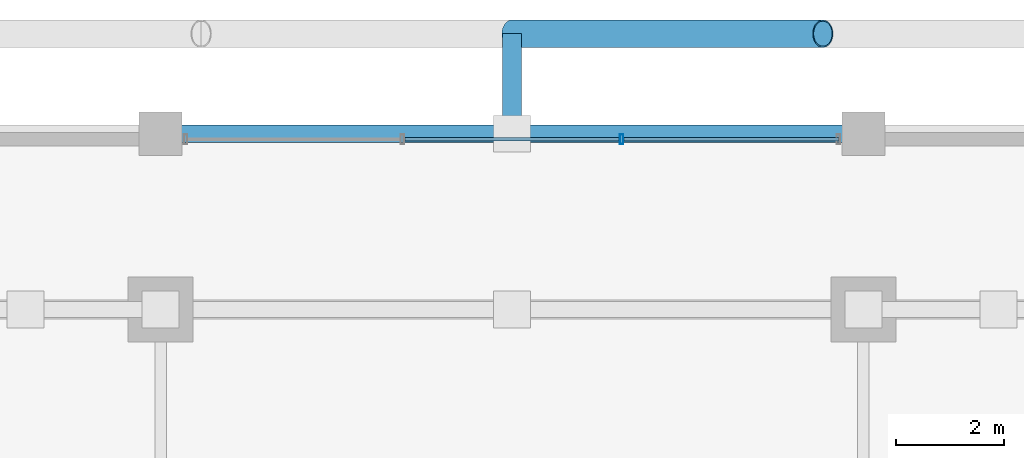
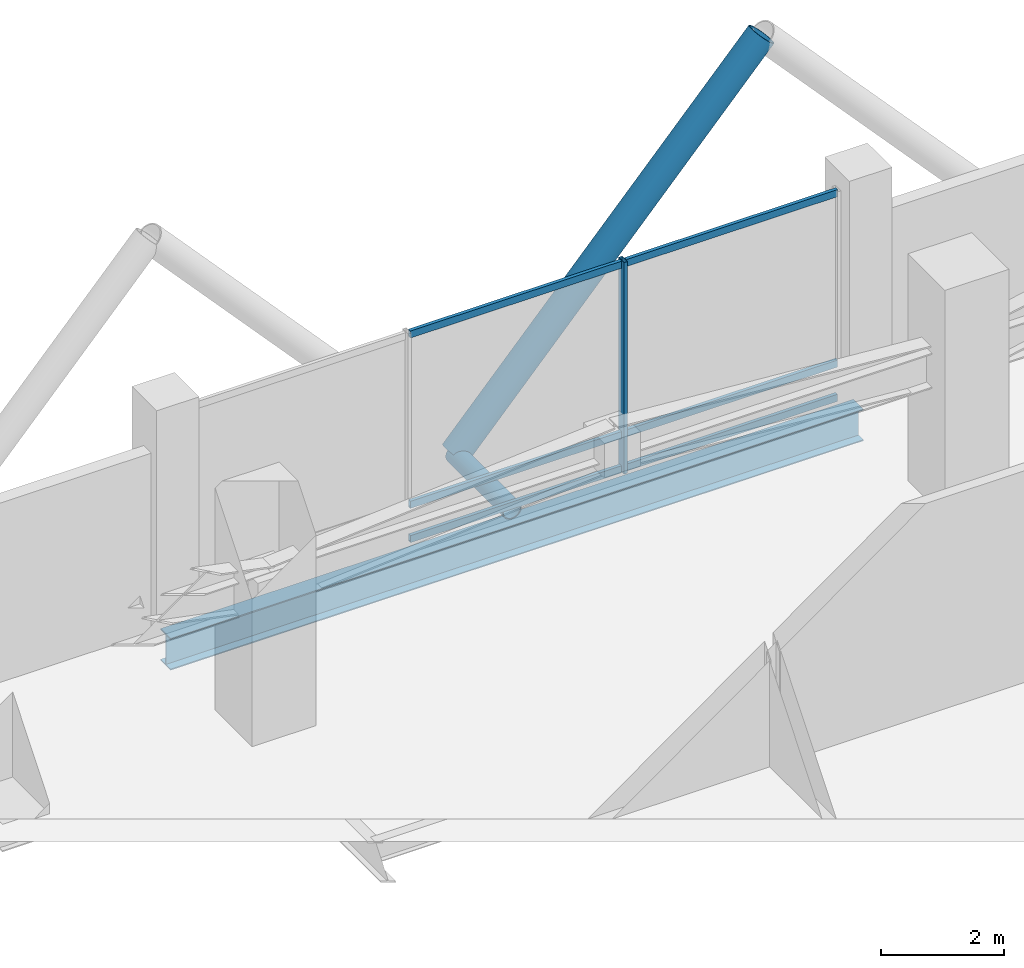
# One storey, part 15 of 22: 9 members, 1 beam, 1 element without a shape of its own.
"""IFC4 building model written with IfcOpenShell, lengths in metres."""

from ifc_helpers import new_model, si_unit, direction, frame, origin, origin_2d, place, context, subcontext, project, spatial, hollow_rectangle, hollow_circle, i_section, extrude, material, layer, layer_set, material_profile, profile_set, type_object, element, aggregate, save


model = new_model("IFC4")

# Units and contexts
model_context = context("Model", 3, precision=1e-05, world=origin(), true_north=direction((0.0, 1.0)))
body_context = subcontext(model_context, "Body", "Model", "MODEL_VIEW")
ifc_project = project(units=[si_unit("LENGTHUNIT", "METRE"), si_unit("AREAUNIT", "SQUARE_METRE"), si_unit("VOLUMEUNIT", "CUBIC_METRE"), si_unit("PLANEANGLEUNIT", "RADIAN"), si_unit("MASSUNIT", "GRAM", prefix="KILO")], contexts=[model_context])

# Site, building, storey
site_placement = place(None, origin())
site = spatial("IfcSite", under=ifc_project, at=site_placement, CompositionType="ELEMENT")
building_placement = place(site_placement, origin())
building = spatial("IfcBuilding", under=site, at=building_placement, Name="Barlavira Tower and Art Museum", CompositionType="ELEMENT")
storey_placement = place(building_placement, frame((0.0, 0.0, 120.60009765625)))
storey = spatial("IfcBuildingStorey", under=building, at=storey_placement, Name="L30", CompositionType="ELEMENT", Elevation=120.60009765625)

# Curtain wall, members
ifc_material_1 = material(Name="Low-iron coastal laminated glass", Category="glass")
ifc_layer = layer(ifc_material_1, 0.18994140625, Name="Low-iron coastal laminated glass")
ifc_layer_set = layer_set([ifc_layer], Name="Low-iron coastal laminated glass")
curtain_wall_type = type_object("IfcCurtainWallType", Name="Pale-Metal Unitised Curtain Wall Zone 2", PredefinedType="NOTDEFINED", material=ifc_layer_set)
curtain_wall_placement = place(storey_placement, origin())
curtain_wall = element("IfcCurtainWall", 1, at=curtain_wall_placement, inside=storey, type_object=curtain_wall_type, Name="L30 Curtain Wall CW2-L30-N-B3", PredefinedType="NOTDEFINED")
ifc_material_2 = material(Name="Pale anodised aluminium", Category="aluminium")
ifc_material_profile_1 = material_profile(ifc_material_2, hollow_rectangle(XDim=0.06494140625, YDim=0.179931640625, WallThickness=0.00390625, at=origin_2d()), Name="ALU-MULL 65x180x4")
ifc_profile_set_1 = profile_set([ifc_material_profile_1], Name="Pale anodised aluminium")
member_type_1 = type_object("IfcMemberType", Name="Curtain Wall Pale-Metal Mullion 65x180", PredefinedType="MULLION", material=ifc_profile_set_1)
member_1_placement = place(storey_placement, frame((2.026611328125, 23.14990234375, 0.0), z_axis=(0.0, 0.0, 1.0), x_axis=(-1.0, 0.0, 0.0)))
member_1 = element("IfcMember", 2, at=member_1_placement, type_object=member_type_1, Name="CW2-L30-N-B3 Mullion 1", PredefinedType="MULLION", context=body_context, shape_type="SweptSolid", body=[
    extrude(hollow_rectangle(XDim=0.06494140625, YDim=0.179931640625, WallThickness=0.00390625, at=origin_2d()), origin(), (0.0, 0.0, 1.0), 4.199951171875),
])
ifc_material_profile_2 = material_profile(ifc_material_2, hollow_rectangle(XDim=0.06494140625, YDim=0.139892578125, WallThickness=0.00390625, at=origin_2d()), Name="ALU-TRAN 65x140x4")
ifc_profile_set_2 = profile_set([ifc_material_profile_2], Name="Pale anodised aluminium")
member_type_2 = type_object("IfcMemberType", Name="Curtain Wall Pale-Metal Transom 65x140", PredefinedType="USERDEFINED", material=ifc_profile_set_2)
member_2_placement = place(storey_placement, frame((6.034912109375, 23.14990234375, 0.06982421875), z_axis=(-1.0, 0.0, 0.0), x_axis=(0.0, -1.0, 0.0)))
member_2 = element("IfcMember", 3, at=member_2_placement, type_object=member_type_2, Name="CW2-L30-N-B3 Transom 0.1", ObjectType="TRANSOM", PredefinedType="USERDEFINED", context=body_context, shape_type="SweptSolid", body=[
    extrude(hollow_rectangle(XDim=0.06494140625, YDim=0.139892578125, WallThickness=0.00390625, at=origin_2d()), origin(), (0.0, 0.0, 1.0), 3.963134765625),
])
member_3_placement = place(storey_placement, frame((6.034912109375, 23.14990234375, 0.75), z_axis=(-1.0, 0.0, 0.0), x_axis=(0.0, -1.0, 0.0)))
member_3 = element("IfcMember", 4, at=member_3_placement, type_object=member_type_2, Name="CW2-L30-N-B3 Transom 0.2", ObjectType="TRANSOM", PredefinedType="USERDEFINED", context=body_context, shape_type="SweptSolid", body=[
    extrude(hollow_rectangle(XDim=0.06494140625, YDim=0.139892578125, WallThickness=0.00390625, at=origin_2d()), origin(), (0.0, 0.0, 1.0), 3.963134765625),
])
member_4_placement = place(storey_placement, frame((6.034912109375, 23.14990234375, 4.1298828125), z_axis=(-1.0, 0.0, 0.0), x_axis=(0.0, -1.0, 0.0)))
member_4 = element("IfcMember", 5, at=member_4_placement, type_object=member_type_2, Name="CW2-L30-N-B3 Transom 0.3", ObjectType="TRANSOM", PredefinedType="USERDEFINED", context=body_context, shape_type="SweptSolid", body=[
    extrude(hollow_rectangle(XDim=0.06494140625, YDim=0.139892578125, WallThickness=0.00390625, at=origin_2d()), origin(), (0.0, 0.0, 1.0), 3.963134765625),
])
member_5_placement = place(storey_placement, frame((1.981689453125, 23.14990234375, 0.06982421875), z_axis=(-1.0, 0.0, 0.0), x_axis=(0.0, -1.0, 0.0)))
member_5 = element("IfcMember", 6, at=member_5_placement, type_object=member_type_2, Name="CW2-L30-N-B3 Transom 1.1", ObjectType="TRANSOM", PredefinedType="USERDEFINED", context=body_context, shape_type="SweptSolid", body=[
    extrude(hollow_rectangle(XDim=0.06494140625, YDim=0.139892578125, WallThickness=0.00390625, at=origin_2d()), origin(), (0.0, 0.0, 1.0), 3.96337890625),
])
member_6_placement = place(storey_placement, frame((1.981689453125, 23.14990234375, 0.75), z_axis=(-1.0, 0.0, 0.0), x_axis=(0.0, -1.0, 0.0)))
member_6 = element("IfcMember", 7, at=member_6_placement, type_object=member_type_2, Name="CW2-L30-N-B3 Transom 1.2", ObjectType="TRANSOM", PredefinedType="USERDEFINED", context=body_context, shape_type="SweptSolid", body=[
    extrude(hollow_rectangle(XDim=0.06494140625, YDim=0.139892578125, WallThickness=0.00390625, at=origin_2d()), origin(), (0.0, 0.0, 1.0), 3.96337890625),
])
member_7_placement = place(storey_placement, frame((1.981689453125, 23.14990234375, 4.1298828125), z_axis=(-1.0, 0.0, 0.0), x_axis=(0.0, -1.0, 0.0)))
member_7 = element("IfcMember", 8, at=member_7_placement, type_object=member_type_2, Name="CW2-L30-N-B3 Transom 1.3", ObjectType="TRANSOM", PredefinedType="USERDEFINED", context=body_context, shape_type="SweptSolid", body=[
    extrude(hollow_rectangle(XDim=0.06494140625, YDim=0.139892578125, WallThickness=0.00390625, at=origin_2d()), origin(), (0.0, 0.0, 1.0), 3.96337890625),
])
aggregate(curtain_wall, [member_1, member_2, member_3, member_4, member_5, member_6, member_7])

# Members
ifc_material_3 = material(Name="Steel S355", Category="steel")
ifc_material_profile_3 = material_profile(ifc_material_3, hollow_circle(Radius=0.25390625, WallThickness=0.022216796875, at=origin_2d()), Name="CHS 508.0x22.2")
ifc_profile_set_3 = profile_set([ifc_material_profile_3], Name="Steel S355")
member_type_3 = type_object("IfcMemberType", Name="Pale-Metal Exoskeleton Diagrid Tube CHS 508x22 Steel S355", PredefinedType="BRACE", material=ifc_profile_set_3)
member_8_placement = place(storey_placement, frame((0.0, 25.10009765625, -0.1201171875), z_axis=(0.67412750573, 0.0, 0.738614991736), x_axis=(0.0, 1.0, 0.0)))
element("IfcMember", 9, at=member_8_placement, inside=storey, type_object=member_type_3, Name="L30 Exoskeleton Diagrid Tube N", PredefinedType="BRACE", context=body_context, shape_type="SweptSolid", body=[
    extrude(hollow_circle(Radius=0.25390625, WallThickness=0.022216796875, at=origin_2d()), origin(), (0.0, 0.0, 1.0), 8.529541015625),
])
ifc_material_profile_4 = material_profile(ifc_material_3, hollow_circle(Radius=0.177734375, WallThickness=0.01611328125, at=origin_2d()), Name="CHS 355.6x16.0")
ifc_profile_set_4 = profile_set([ifc_material_profile_4], Name="Steel S355")
member_type_4 = type_object("IfcMemberType", Name="Pale-Metal Exoskeleton Tie Strut CHS 356x16 Steel S355", PredefinedType="STRUT", material=ifc_profile_set_4)
member_9_placement = place(storey_placement, frame((0.0, 25.10009765625, -0.1201171875), z_axis=(0.0, -1.0, 0.0), x_axis=(1.0, 0.0, 0.0)))
element("IfcMember", 10, at=member_9_placement, inside=storey, type_object=member_type_4, Name="L30 Exoskeleton Tie Strut N2", PredefinedType="STRUT", context=body_context, shape_type="SweptSolid", body=[
    extrude(hollow_circle(Radius=0.177734375, WallThickness=0.01611328125, at=origin_2d()), origin(), (0.0, 0.0, 1.0), 1.85009765625),
])

# Beam
ifc_material_profile_5 = material_profile(ifc_material_3, i_section(OverallWidth=0.327880859375, OverallDepth=0.62890625, WebThickness=0.013916015625, FlangeThickness=0.021484375, at=origin_2d()), Name="W610x174.0")
ifc_profile_set_5 = profile_set([ifc_material_profile_5], Name="Steel S355")
beam_type = type_object("IfcBeamType", Name="Perimeter Spandrel Edge Beam W610x174 Steel S355", PredefinedType="SPANDREL", material=ifc_profile_set_5)
beam_placement = place(storey_placement, frame((-6.5, 23.25, -0.614501953125), z_axis=(1.0, 0.0, 0.0), x_axis=(0.0, 1.0, 0.0)))
element("IfcBeam", 11, at=beam_placement, inside=storey, type_object=beam_type, Name="L30 Spandrel 10", PredefinedType="SPANDREL", context=body_context, shape_type="SweptSolid", body=[
    extrude(i_section(OverallWidth=0.327880859375, OverallDepth=0.62890625, WebThickness=0.013916015625, FlangeThickness=0.021484375, at=origin_2d()), origin(), (0.0, 0.0, 1.0), 13.0),
])

save(model, "model.ifc")
